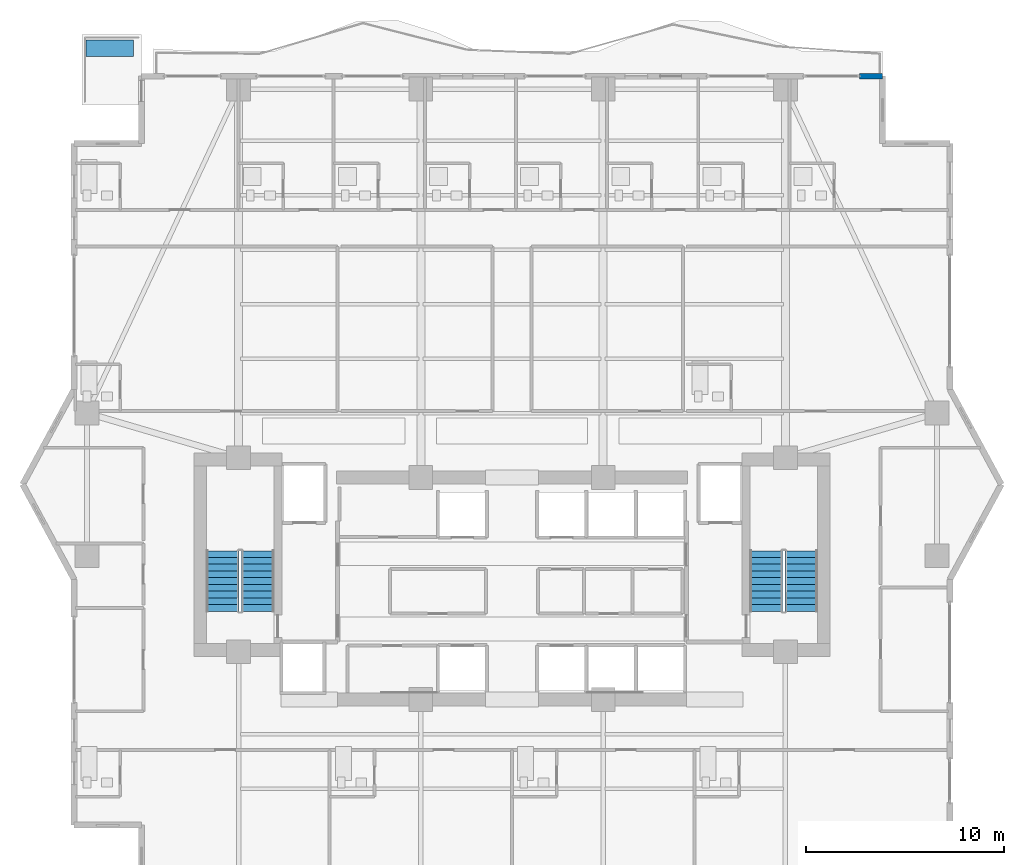
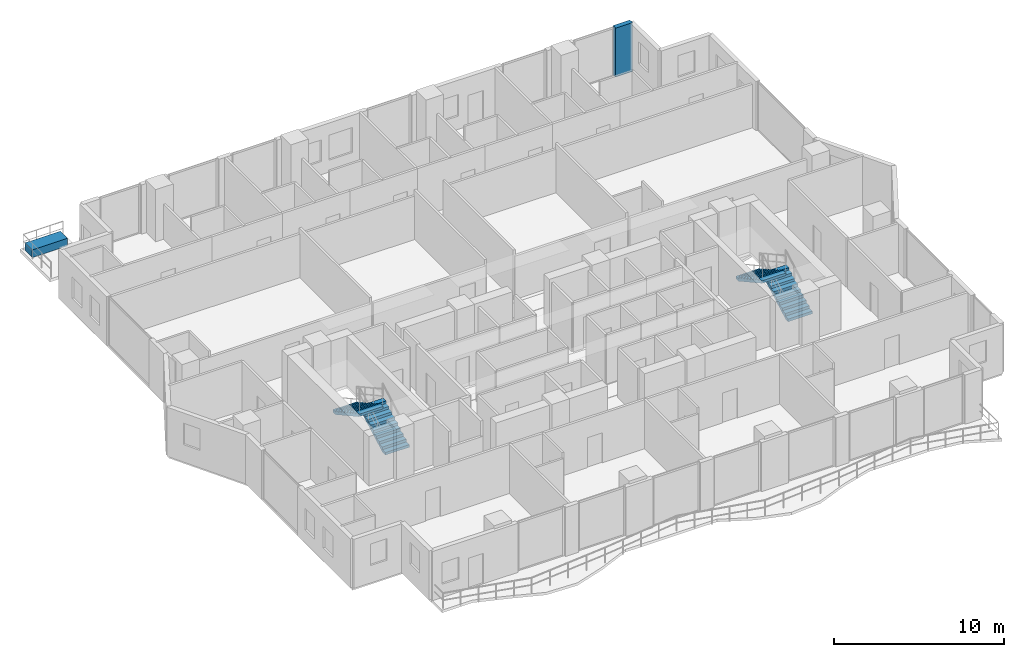
# One storey, part 29 of 33: 4 stair flights, 1 building element part, 1 wall, 2 elements without a shape of their own.
"""IFC4 building model written with IfcOpenShell, lengths in metres."""

from ifc_helpers import new_model, si_unit, direction, frame, frame_2d, origin, origin_2d, place, context, subcontext, project, spatial, polyline, rectangle, outline, extrude, material, layer, layer_set, type_object, element, aggregate, save


model = new_model("IFC4")

# Units and contexts
model_context = context("Model", 3, precision=1e-05, world=origin(), true_north=direction((0.0, 1.0)))
body_context = subcontext(model_context, "Body", "Model", "MODEL_VIEW")
ifc_project = project(units=[si_unit("LENGTHUNIT", "METRE"), si_unit("AREAUNIT", "SQUARE_METRE"), si_unit("VOLUMEUNIT", "CUBIC_METRE"), si_unit("PLANEANGLEUNIT", "RADIAN"), si_unit("MASSUNIT", "GRAM", prefix="KILO")], contexts=[model_context])

# Site, building, storey
site_placement = place(None, origin())
site = spatial("IfcSite", under=ifc_project, at=site_placement, CompositionType="ELEMENT")
building_placement = place(site_placement, origin())
building = spatial("IfcBuilding", under=site, at=building_placement, Name="Zuhayl Quay Hotel", CompositionType="ELEMENT")
storey_placement = place(building_placement, frame((0.0, 0.0, 222.39990234375)))
storey = spatial("IfcBuildingStorey", under=building, at=storey_placement, Name="L56", CompositionType="ELEMENT", Elevation=222.39990234375)

# Wall
ifc_material_1 = material(Name="Precast concrete C45/55", Category="concrete")
ifc_layer_1 = layer(ifc_material_1, 0.300048828125, Name="Precast concrete C45/55", Category="concrete")
ifc_layer_set_1 = layer_set([ifc_layer_1], Name="Precast concrete C45/55")
wall_type = type_object("IfcWallType", Name="WL_EXT_300", PredefinedType="STANDARD", material=ifc_layer_set_1)
wall_placement = place(storey_placement, frame((17.550048828125, 33.60009765625, 0.0), z_axis=(0.0, 0.0, 1.0), x_axis=(1.0, 0.0, 0.0)))
element("IfcWall", 1, at=wall_placement, inside=storey, type_object=wall_type, Name="L56 Exterior Precast Wall ENV_L56_N_EW7", PredefinedType="STANDARD", context=body_context, shape_type="SweptSolid", body=[
    extrude(rectangle(XDim=1.14990234375, YDim=0.300048828125, at=frame_2d((0.574951171875, 0.0))), origin(), (0.0, 0.0, 1.0), 3.530029296875),
])

# Stair, stair flights
ifc_material_2 = material(Name="Concrete C45/55", Category="concrete")
stair_type = type_object("IfcStairType", Name="ST_DOGLEG_TOWER", PredefinedType="HALF_TURN_STAIR", material=ifc_material_2)
stair_1_placement = place(storey_placement, origin())
stair_1 = element("IfcStair", 2, at=stair_1_placement, inside=storey, type_object=stair_type, Name="L56 Smokeproof Exit Stair ST1", PredefinedType="HALF_TURN_STAIR")
ifc_layer_2 = layer(ifc_material_2, 0.159912109375, Name="Concrete C45/55", Category="concrete")
ifc_layer_set_2 = layer_set([ifc_layer_2], Name="Concrete C45/55")
stair_flight_type = type_object("IfcStairFlightType", Name="SF_CONC_164", PredefinedType="STRAIGHT", material=ifc_layer_set_2)
stair_flight_1_placement = place(storey_placement, frame((-12.820068359375, 6.590087890625, 0.0), z_axis=(0.0, 0.0, 1.0), x_axis=(0.0, 1.0, 0.0)))
stair_flight_1 = element("IfcStairFlight", 3, at=stair_flight_1_placement, type_object=stair_flight_type, Name="ST1 flight 1", NumberOfRisers=10, NumberOfTreads=9, PredefinedType="STRAIGHT", RiserHeight=0.1875, TreadLength=0.34, context=body_context, shape_type="SweptSolid", body=[
    extrude(outline(polyline([(0.0, 0.0), (0.0, 0.1875), (0.340087890625, 0.1875), (0.340087890625, 0.375), (0.679931640625, 0.375), (0.679931640625, 0.5625), (1.02001953125, 0.5625), (1.02001953125, 0.75), (1.360107421875, 0.75), (1.360107421875, 0.9375), (1.699951171875, 0.9375), (1.699951171875, 1.125), (2.0400390625, 1.125), (2.0400390625, 1.3125), (2.3798828125, 1.3125), (2.3798828125, 1.5), (2.719970703125, 1.5), (2.719970703125, 1.6875), (3.06005859375, 1.6875), (3.06005859375, 1.875), (3.06005859375, 1.516357421875), (0.310302734375, 0.0), (0.0, 0.0)])), frame((0.0, 0.81982421875, 0.0), z_axis=(0.0, -1.0, 0.0), x_axis=(1.0, 0.0, 0.0)), (0.0, 0.0, 1.0), 1.639892578125),
])
stair_flight_2_placement = place(storey_placement, frame((-14.610107421875, 9.64990234375, 1.875), z_axis=(0.0, 0.0, 1.0), x_axis=(0.0, -1.0, 0.0)))
stair_flight_2 = element("IfcStairFlight", 4, at=stair_flight_2_placement, type_object=stair_flight_type, Name="ST1 flight 2", NumberOfRisers=10, NumberOfTreads=9, PredefinedType="STRAIGHT", RiserHeight=0.1875, TreadLength=0.34, context=body_context, shape_type="SweptSolid", body=[
    extrude(outline(polyline([(0.0, 0.0), (0.0, 0.1875), (0.340087890625, 0.1875), (0.340087890625, 0.375), (0.679931640625, 0.375), (0.679931640625, 0.5625), (1.02001953125, 0.5625), (1.02001953125, 0.75), (1.360107421875, 0.75), (1.360107421875, 0.9375), (1.699951171875, 0.9375), (1.699951171875, 1.125), (2.0400390625, 1.125), (2.0400390625, 1.3125), (2.3798828125, 1.3125), (2.3798828125, 1.5), (2.719970703125, 1.5), (2.719970703125, 1.6875), (3.06005859375, 1.6875), (3.06005859375, 1.875), (3.06005859375, 1.516357421875), (0.310302734375, 0.0), (0.0, 0.0)])), frame((0.0, 0.81982421875, 0.0), z_axis=(0.0, -1.0, 0.0), x_axis=(1.0, 0.0, 0.0)), (0.0, 0.0, 1.0), 1.639892578125),
])
aggregate(stair_1, [stair_flight_1, stair_flight_2])

stair_2_placement = place(storey_placement, origin())
stair_2 = element("IfcStair", 5, at=stair_2_placement, inside=storey, type_object=stair_type, Name="L56 Smokeproof Exit Stair ST2", PredefinedType="HALF_TURN_STAIR")
stair_flight_3_placement = place(storey_placement, frame((14.610107421875, 6.590087890625, 0.0), z_axis=(0.0, 0.0, 1.0), x_axis=(0.0, 1.0, 0.0)))
stair_flight_3 = element("IfcStairFlight", 6, at=stair_flight_3_placement, type_object=stair_flight_type, Name="ST2 flight 1", NumberOfRisers=10, NumberOfTreads=9, PredefinedType="STRAIGHT", RiserHeight=0.1875, TreadLength=0.34, context=body_context, shape_type="SweptSolid", body=[
    extrude(outline(polyline([(0.0, 0.0), (0.0, 0.1875), (0.340087890625, 0.1875), (0.340087890625, 0.375), (0.679931640625, 0.375), (0.679931640625, 0.5625), (1.02001953125, 0.5625), (1.02001953125, 0.75), (1.360107421875, 0.75), (1.360107421875, 0.9375), (1.699951171875, 0.9375), (1.699951171875, 1.125), (2.0400390625, 1.125), (2.0400390625, 1.3125), (2.3798828125, 1.3125), (2.3798828125, 1.5), (2.719970703125, 1.5), (2.719970703125, 1.6875), (3.06005859375, 1.6875), (3.06005859375, 1.875), (3.06005859375, 1.516357421875), (0.310302734375, 0.0), (0.0, 0.0)])), frame((0.0, 0.81982421875, 0.0), z_axis=(0.0, -1.0, 0.0), x_axis=(1.0, 0.0, 0.0)), (0.0, 0.0, 1.0), 1.639892578125),
])
stair_flight_4_placement = place(storey_placement, frame((12.820068359375, 9.64990234375, 1.875), z_axis=(0.0, 0.0, 1.0), x_axis=(0.0, -1.0, 0.0)))
stair_flight_4 = element("IfcStairFlight", 7, at=stair_flight_4_placement, type_object=stair_flight_type, Name="ST2 flight 2", NumberOfRisers=10, NumberOfTreads=9, PredefinedType="STRAIGHT", RiserHeight=0.1875, TreadLength=0.34, context=body_context, shape_type="SweptSolid", body=[
    extrude(outline(polyline([(0.0, 0.0), (0.0, 0.1875), (0.340087890625, 0.1875), (0.340087890625, 0.375), (0.679931640625, 0.375), (0.679931640625, 0.5625), (1.02001953125, 0.5625), (1.02001953125, 0.75), (1.360107421875, 0.75), (1.360107421875, 0.9375), (1.699951171875, 0.9375), (1.699951171875, 1.125), (2.0400390625, 1.125), (2.0400390625, 1.3125), (2.3798828125, 1.3125), (2.3798828125, 1.5), (2.719970703125, 1.5), (2.719970703125, 1.6875), (3.06005859375, 1.6875), (3.06005859375, 1.875), (3.06005859375, 1.516357421875), (0.310302734375, 0.0), (0.0, 0.0)])), frame((0.0, 0.81982421875, 0.0), z_axis=(0.0, -1.0, 0.0), x_axis=(1.0, 0.0, 0.0)), (0.0, 0.0, 1.0), 1.639892578125),
])
aggregate(stair_2, [stair_flight_3, stair_flight_4])

# Building element part
ifc_layer_3 = layer(ifc_material_1, 0.550048828125, Name="Precast concrete C45/55", Category="concrete")
ifc_layer_set_3 = layer_set([ifc_layer_3], Name="Precast concrete C45/55")
building_element_part_type = type_object("IfcBuildingElementPartType", Name="PT_PLANTER_KERB", PredefinedType="PRECASTPANEL", material=ifc_layer_set_3)
building_element_part_placement = place(storey_placement, frame((-20.31005859375, 35.010009765625, 0.0), z_axis=(0.0, 0.0, 1.0), x_axis=(1.0, 0.0, 0.0)))
element("IfcBuildingElementPart", 8, at=building_element_part_placement, inside=storey, type_object=building_element_part_type, Name="L56 Spiral Sky-Terrace Planter Box NW", PredefinedType="PRECASTPANEL", context=body_context, shape_type="SweptSolid", body=[
    extrude(rectangle(XDim=2.39990234375, YDim=0.85009765625, at=origin_2d()), origin(), (0.0, 0.0, 1.0), 0.550048828125),
])

save(model, "model.ifc")
